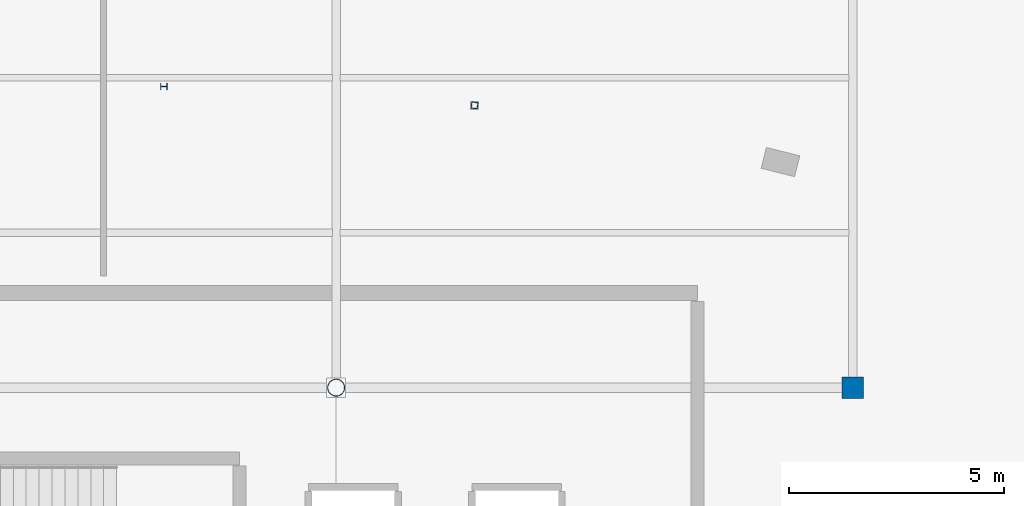
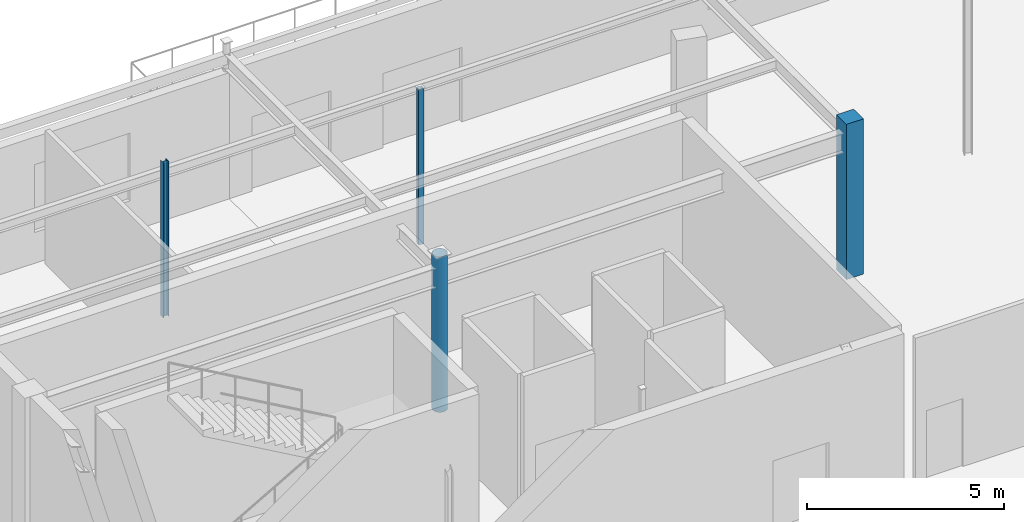
# One storey, part 36 of 199: 4 columns.
"""IFC4 building model written with IfcOpenShell, lengths in metres."""

import ifcopenshell
import ifcopenshell.guid

model = None  # the IFC model being written
_history = None  # IfcOwnerHistory: only IFC2X3 demands one
_inside = {}  # id of a spatial element -> (the spatial element, [elements in it])
_under = {}  # id of a project, library or spatial element -> (it, [spatial elements below it])
_declared = {}  # id of a project -> (the project, [libraries it declares])
_typed = {}  # id of a type object -> (the type object, [elements of that type])
_made_of = {}  # id of a material, layer set ... -> (it, [elements and type objects made of it])


def new_model(schema):
    """Start an empty IFC model of exactly this schema.

    Asked for "IFC4X3", IfcOpenShell would pick the latest addendum, in which some entities
    have other attributes; the version numbers below select the first issue.
    IFC2X3 requires an IfcOwnerHistory on every rooted entity: one is made here for all.
    """
    global model, _history
    if schema == "IFC4X3":
        model = ifcopenshell.file(schema_version=(4, 3, 0, 0))
    else:
        model = ifcopenshell.file(schema=schema)
    _inside.clear()
    _under.clear()
    _declared.clear()
    _typed.clear()
    _made_of.clear()
    _history = None
    if model.schema == "IFC2X3":
        org = make("IfcOrganization", Name="unknown")
        user = make(
            "IfcPersonAndOrganization",
            ThePerson=make("IfcPerson", FamilyName="unknown"),
            TheOrganization=org,
        )
        app = make(
            "IfcApplication",
            ApplicationDeveloper=org,
            Version="unknown",
            ApplicationFullName="unknown",
            ApplicationIdentifier="unknown",
        )
        _history = make(
            "IfcOwnerHistory",
            OwningUser=user,
            OwningApplication=app,
            ChangeAction="ADDED",
            CreationDate=0,
        )
    return model


def make(cls, **values):
    """One entity of the class cls with the attributes given. An attribute that is None is left unset."""
    return model.create_entity(
        cls, **{name: value for name, value in values.items() if value is not None}
    )


def rooted(cls, **values):
    """An entity with a GlobalId (a new one), such as an element, a storey or a relation."""
    return make(cls, GlobalId=ifcopenshell.guid.new(), OwnerHistory=_history, **values)


def si_unit(unit_type, name, prefix=None):
    """IfcSIUnit, for example si_unit("LENGTHUNIT", "METRE", prefix="MILLI")."""
    return make("IfcSIUnit", UnitType=unit_type, Prefix=prefix, Name=name)


def assignment(units):
    """IfcUnitAssignment: the units of a project."""
    return None if units is None else make("IfcUnitAssignment", Units=units)


def point(xyz):
    """IfcCartesianPoint."""
    return None if xyz is None else make("IfcCartesianPoint", Coordinates=xyz)


def direction(xyz):
    """IfcDirection."""
    return None if xyz is None else make("IfcDirection", DirectionRatios=xyz)


def frame(location, z_axis=None, x_axis=None):
    """IfcAxis2Placement3D, a coordinate frame: its origin and axes. An axis left out is left unset."""
    return make(
        "IfcAxis2Placement3D",
        Location=point(location),
        Axis=direction(z_axis),
        RefDirection=direction(x_axis),
    )


def frame_2d(location, x_axis=None):
    """IfcAxis2Placement2D, a coordinate frame in the plane: its origin and x axis."""
    return make(
        "IfcAxis2Placement2D", Location=point(location), RefDirection=direction(x_axis)
    )


def origin():
    """The frame at (0, 0, 0) with its axes left unset."""
    return frame((0.0, 0.0, 0.0))


def origin_2d():
    """The frame at (0, 0) in the plane with its x axis left unset."""
    return frame_2d((0.0, 0.0))


def place(relative_to, where):
    """IfcLocalPlacement: puts the frame where relative to a parent placement (None: the world)."""
    return make(
        "IfcLocalPlacement", PlacementRelTo=relative_to, RelativePlacement=where
    )


def context(
    kind, dimensions, precision=None, world=None, true_north=None, identifier=None
):
    """IfcGeometricRepresentationContext, for example the 3D "Model" context."""
    return make(
        "IfcGeometricRepresentationContext",
        ContextIdentifier=identifier,
        ContextType=kind,
        CoordinateSpaceDimension=dimensions,
        Precision=precision,
        WorldCoordinateSystem=world,
        TrueNorth=true_north,
    )


def subcontext(parent, identifier, kind, view, scale=None):
    """IfcGeometricRepresentationSubContext, for example "Body" below "Model"."""
    return make(
        "IfcGeometricRepresentationSubContext",
        ContextIdentifier=identifier,
        ContextType=kind,
        ParentContext=parent,
        TargetScale=scale,
        TargetView=view,
    )


def project(units=None, contexts=None):
    """IfcProject with its units and contexts."""
    return rooted(
        "IfcProject",
        Name="project",
        RepresentationContexts=contexts,
        UnitsInContext=assignment(units),
    )


def spatial(cls, under=None, at=None, **own):
    """A site, building, storey or space (cls), placed at a placement, below another one or the project."""
    s = rooted(cls, ObjectPlacement=at, **own)
    if under is not None:
        _under.setdefault(under.id(), (under, []))[1].append(s)
    return s


def profile(cls, at=None, kind="AREA", **sizes):
    """A parametric profile (cls). Its sizes go by their IFC names, for example OverallWidth=200.0."""
    return make(cls, ProfileType=kind, Position=at, **sizes)


def rectangle(**sizes):
    """IfcRectangleProfileDef."""
    return profile("IfcRectangleProfileDef", **sizes)


def hollow_rectangle(**sizes):
    """IfcRectangleHollowProfileDef."""
    return profile("IfcRectangleHollowProfileDef", **sizes)


def hollow_circle(**sizes):
    """IfcCircleHollowProfileDef."""
    return profile("IfcCircleHollowProfileDef", **sizes)


def i_section(**sizes):
    """IfcIShapeProfileDef."""
    return profile("IfcIShapeProfileDef", **sizes)


def extrude(swept, where, along, depth):
    """IfcExtrudedAreaSolid: the profile swept, set in the frame where, extruded along a direction by depth."""
    return make(
        "IfcExtrudedAreaSolid",
        SweptArea=swept,
        Position=where,
        ExtrudedDirection=direction(along),
        Depth=depth,
    )


def shape(context_of_items, identifier, shape_type, items):
    """IfcShapeRepresentation: the items that make up one representation, for example the "Body"."""
    return make(
        "IfcShapeRepresentation",
        ContextOfItems=context_of_items,
        RepresentationIdentifier=identifier,
        RepresentationType=shape_type,
        Items=items,
    )


def material(Name=None, Category=None):
    """IfcMaterial."""
    return make("IfcMaterial", Name=Name, Category=Category)


def material_profile(
    of_material, cross_section, Name=None, Category=None, Priority=None
):
    """IfcMaterialProfile: a cross section and its material."""
    return make(
        "IfcMaterialProfile",
        Name=Name,
        Material=of_material,
        Profile=cross_section,
        Priority=Priority,
        Category=Category,
    )


def profile_set(profiles, Name=None, composite=None):
    """IfcMaterialProfileSet."""
    return make(
        "IfcMaterialProfileSet",
        Name=Name,
        MaterialProfiles=profiles,
        CompositeProfile=composite,
    )


def made_of(thing, what):
    """Note that an element or type object is made of a material, layer set ...; save() writes the relation."""
    if what is not None:
        _made_of.setdefault(what.id(), (what, []))[1].append(thing)
    return thing


def type_object(cls, material=None, **own):
    """A type object (cls), such as IfcWallType, which elements share."""
    return made_of(rooted(cls, **own), material)


def element(
    cls,
    number,
    at=None,
    inside=None,
    cuts=None,
    type_object=None,
    material=None,
    context=None,
    identifier="Body",
    shape_type=None,
    held_by="IfcProductDefinitionShape",
    body=None,
    shapes=None,
    **own,
):
    """One element of the class cls, such as IfcWall. Its Tag is "e" and its number.

    at: its placement. inside: the storey or other place that contains it. cuts: it is an
    opening in that element (IfcRelVoidsElement). A single representation is given by context,
    identifier, shape_type and body (its items); several are given by shapes. held_by: the class
    of the entity that holds the representations. save() writes the other relations.
    """
    e = rooted(cls, Tag="e%d" % number, ObjectPlacement=at, **own)
    if body is not None:
        shapes = [shape(context, identifier, shape_type, body)]
    if shapes is not None:
        e.Representation = make(held_by, Representations=shapes)
    if inside is not None:
        _inside.setdefault(inside.id(), (inside, []))[1].append(e)
    if cuts is not None:
        rooted(
            "IfcRelVoidsElement", RelatingBuildingElement=cuts, RelatedOpeningElement=e
        )
    if type_object is not None:
        _typed.setdefault(type_object.id(), (type_object, []))[1].append(e)
    return made_of(e, material)


def aggregate(whole, parts):
    """IfcRelAggregates: a whole, such as a stair, and the parts it consists of."""
    return rooted("IfcRelAggregates", RelatingObject=whole, RelatedObjects=parts)


def save(model, path):
    """Write the relations noted so far, then the file.

    IfcRelAggregates (storeys below a building ...), IfcRelContainedInSpatialStructure (elements
    in a storey), IfcRelDefinesByType, IfcRelAssociatesMaterial and IfcRelDeclares: one each for
    every whole, place, type object, material and project.
    """
    for whole, parts in _under.values():
        aggregate(whole, parts)
    for where, things in _inside.values():
        rooted(
            "IfcRelContainedInSpatialStructure",
            RelatedElements=things,
            RelatingStructure=where,
        )
    for kind, things in _typed.values():
        rooted("IfcRelDefinesByType", RelatedObjects=things, RelatingType=kind)
    for what, things in _made_of.values():
        rooted("IfcRelAssociatesMaterial", RelatedObjects=things, RelatingMaterial=what)
    for by, libraries in _declared.values():
        rooted("IfcRelDeclares", RelatingContext=by, RelatedDefinitions=libraries)
    model.write(path)


model = new_model("IFC4")

# Units and contexts
model_context = context("Model", 3, precision=1e-05, world=origin(), true_north=direction((0.0, 1.0)))
body_context = subcontext(model_context, "Body", "Model", "MODEL_VIEW")
ifc_project = project(units=[si_unit("LENGTHUNIT", "METRE"), si_unit("AREAUNIT", "SQUARE_METRE"), si_unit("VOLUMEUNIT", "CUBIC_METRE"), si_unit("PLANEANGLEUNIT", "RADIAN"), si_unit("MASSUNIT", "GRAM", prefix="KILO")], contexts=[model_context])

# Site, building, storey
site_placement = place(None, origin())
site = spatial("IfcSite", under=ifc_project, at=site_placement, CompositionType="ELEMENT")
building_placement = place(site_placement, origin())
building = spatial("IfcBuilding", under=site, at=building_placement, Name="Tarnwether General Hospital", CompositionType="ELEMENT")
storey_placement = place(building_placement, origin())
storey = spatial("IfcBuildingStorey", under=building, at=storey_placement, Name="L00", CompositionType="ELEMENT", Elevation=0.0)

# Columns
ifc_material_1 = material(Name="Steel Grade C350L0 (350 MPa)", Category="steel")
ifc_material_profile_1 = material_profile(ifc_material_1, hollow_circle(Radius=0.203125, WallThickness=0.01611328125, at=origin_2d()), Name="CHS406.4x16.0")
ifc_profile_set_1 = profile_set([ifc_material_profile_1], Name="Steel Grade C350L0 (350 MPa)")
column_type_1 = type_object("IfcColumnType", Name="COL-10", PredefinedType="COLUMN", material=ifc_profile_set_1)
column_1_placement = place(storey_placement, frame((96.0, 115.199951171875, 0.0), z_axis=(0.0, 0.0, 1.0), x_axis=(1.0, 0.0, 0.0)))
element("IfcColumn", 1, at=column_1_placement, inside=storey, type_object=column_type_1, Name="Column COLG-L00-9600_11520", PredefinedType="COLUMN", context=body_context, shape_type="SweptSolid", body=[
    extrude(hollow_circle(Radius=0.203125, WallThickness=0.01611328125, at=origin_2d()), origin(), (0.0, 0.0, 1.0), 4.800048828125),
])
ifc_material_2 = material(Name="Concrete 50 MPa", Category="concrete")
ifc_material_profile_2 = material_profile(ifc_material_2, rectangle(XDim=0.5, YDim=0.5, at=origin_2d()), Name="RC-COL-500x500")
ifc_profile_set_2 = profile_set([ifc_material_profile_2], Name="Concrete 50 MPa")
column_type_2 = type_object("IfcColumnType", Name="COL-20", PredefinedType="COLUMN", material=ifc_profile_set_2)
column_2_placement = place(storey_placement, frame((108.0, 115.199951171875, 0.0), z_axis=(0.0, 0.0, 1.0), x_axis=(0.0, 1.0, 0.0)))
element("IfcColumn", 2, at=column_2_placement, inside=storey, type_object=column_type_2, Name="Column COLG-L00-10800_11520", PredefinedType="COLUMN", context=body_context, shape_type="SweptSolid", body=[
    extrude(rectangle(XDim=0.5, YDim=0.5, at=origin_2d()), origin(), (0.0, 0.0, 1.0), 4.800048828125),
])
ifc_material_3 = material(Name="Steel Grade 350 (350 MPa)", Category="steel")
ifc_material_profile_3 = material_profile(ifc_material_3, i_section(OverallWidth=0.153076171875, OverallDepth=0.157958984375, WebThickness=0.006591796875, FlangeThickness=0.009521484375, at=origin_2d()), Name="150UC30.0")
ifc_profile_set_3 = profile_set([ifc_material_profile_3], Name="Steel Grade 350 (350 MPa)")
column_type_3 = type_object("IfcColumnType", Name="COL-31", PredefinedType="COLUMN", material=ifc_profile_set_3)
column_3_placement = place(storey_placement, frame((92.0, 122.199951171875, 0.0), z_axis=(0.0, 0.0, 1.0), x_axis=(0.0, 1.0, 0.0)))
element("IfcColumn", 3, at=column_3_placement, inside=storey, type_object=column_type_3, Name="Column COLG-L00-9200_12220", PredefinedType="COLUMN", context=body_context, shape_type="SweptSolid", body=[
    extrude(i_section(OverallWidth=0.153076171875, OverallDepth=0.157958984375, WebThickness=0.006591796875, FlangeThickness=0.009521484375, at=origin_2d()), origin(), (0.0, 0.0, 1.0), 4.800048828125),
])
ifc_material_4 = material(Name="Steel Grade C350L0 (350 MPa)", Category="steel")
ifc_material_profile_4 = material_profile(ifc_material_4, hollow_rectangle(XDim=0.14990234375, YDim=0.14990234375, WallThickness=0.008056640625, at=origin_2d()), Name="SHS150x150x8")
ifc_profile_set_4 = profile_set([ifc_material_profile_4], Name="Steel Grade C350L0 (350 MPa)")
column_type_4 = type_object("IfcColumnType", Name="COL-33", PredefinedType="COLUMN", material=ifc_profile_set_4)
column_4_placement = place(storey_placement, frame((99.215087890625, 121.759033203125, 0.0), z_axis=(0.0, 0.0, 1.0), x_axis=(0.121869343405, 0.992546151641, 0.0)))
element("IfcColumn", 4, at=column_4_placement, inside=storey, type_object=column_type_4, Name="Column COLG-L00-9922_12176", PredefinedType="COLUMN", context=body_context, shape_type="SweptSolid", body=[
    extrude(hollow_rectangle(XDim=0.14990234375, YDim=0.14990234375, WallThickness=0.008056640625, at=origin_2d()), origin(), (0.0, 0.0, 1.0), 4.800048828125),
])

save(model, "model.ifc")
